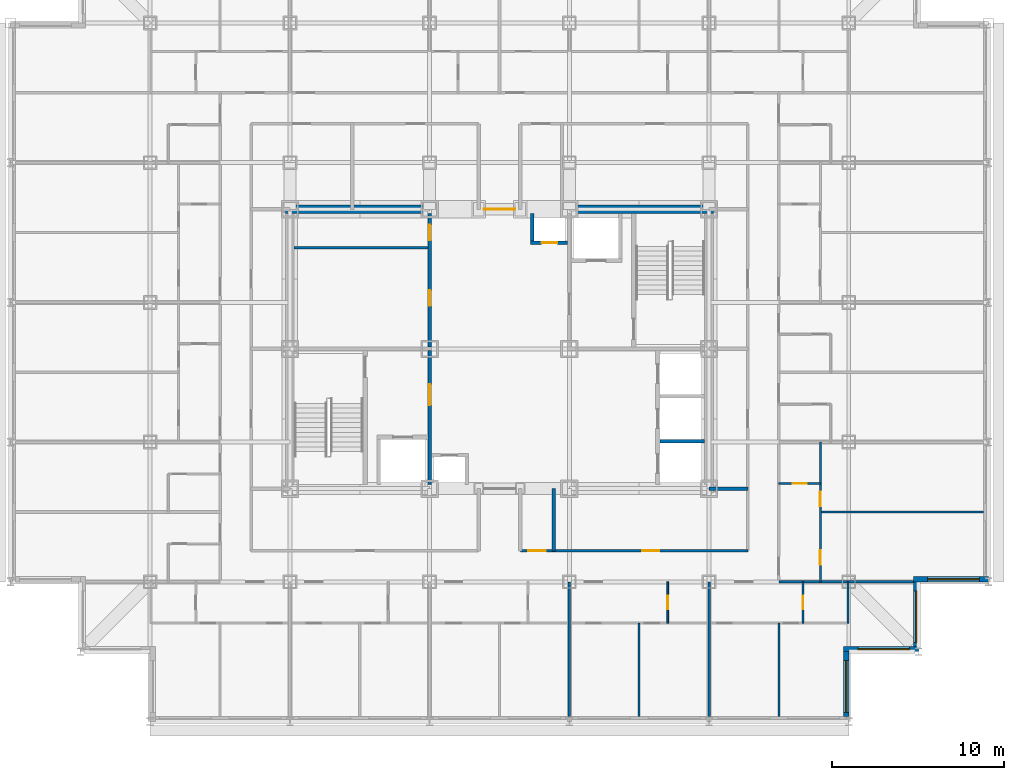
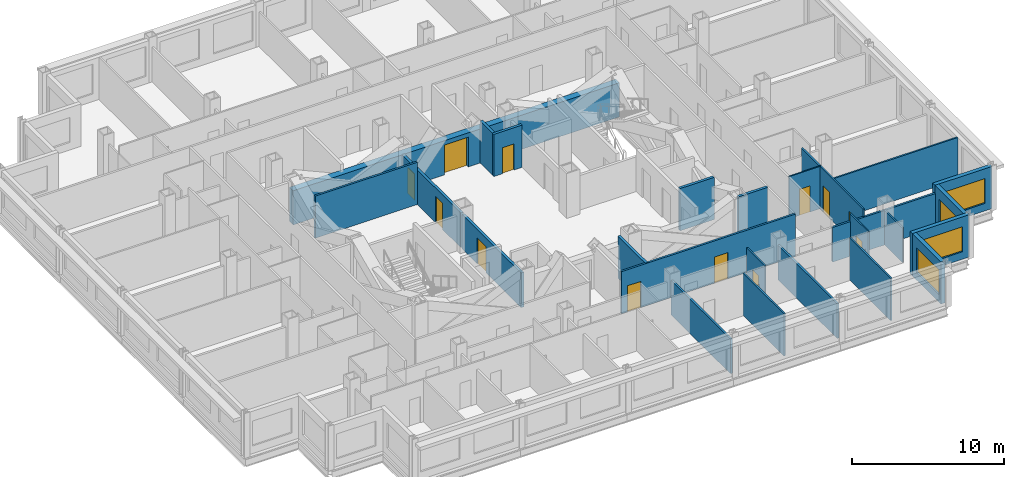
# One storey, part 7 of 12: 25 walls, 12 doors, 4 windows, 16 openings.
"""IFC4 building model written with IfcOpenShell, lengths in metres."""

from ifc_helpers import new_model, si_unit, direction, frame, frame_2d, origin, place, context, subcontext, project, spatial, rectangle, extrude, material, layer, layer_set, type_object, element, fill, save


model = new_model("IFC4")

# Units and contexts
model_context = context("Model", 3, precision=1e-05, world=origin(), true_north=direction((0.0, 1.0)))
body_context = subcontext(model_context, "Body", "Model", "MODEL_VIEW")
ifc_project = project(units=[si_unit("LENGTHUNIT", "METRE"), si_unit("AREAUNIT", "SQUARE_METRE"), si_unit("VOLUMEUNIT", "CUBIC_METRE"), si_unit("PLANEANGLEUNIT", "RADIAN"), si_unit("MASSUNIT", "GRAM", prefix="KILO")], contexts=[model_context])

# Site, building, storey
site_placement = place(None, origin())
site = spatial("IfcSite", under=ifc_project, at=site_placement, CompositionType="ELEMENT")
building_placement = place(site_placement, origin())
building = spatial("IfcBuilding", under=site, at=building_placement, Name="Kopane Lantern Tower", CompositionType="ELEMENT")
storey_placement = place(building_placement, frame((0.0, 0.0, 181.199951171875)))
storey = spatial("IfcBuildingStorey", under=building, at=storey_placement, Name="L46", CompositionType="ELEMENT", Elevation=181.199951171875)

# Wall
ifc_material_1 = material(Name="Gypsum board on steel studs", Category="steel")
ifc_layer_1 = layer(ifc_material_1, 0.1201171875)
ifc_layer_set_1 = layer_set([ifc_layer_1], Name="APARTMENT INTERNAL WALL 120")
wall_type_1 = type_object("IfcWallType", Name="APARTMENT INTERNAL WALL 120", PredefinedType="PARTITIONING", material=ifc_layer_set_1)
wall_1_placement = place(storey_placement, frame((36.449951171875, 16.5, 0.0), z_axis=(0.0, 0.0, 1.0), x_axis=(0.0, -1.0, 0.0)))
element("IfcWall", 1, at=wall_1_placement, inside=storey, type_object=wall_type_1, Name="Apartment Internal Wall 120 L46", PredefinedType="PARTITIONING", context=body_context, shape_type="SweptSolid", body=[
    extrude(rectangle(XDim=5.39990234375, YDim=0.1201171875, at=frame_2d((2.699951171875, 0.0))), origin(), (0.0, 0.0, 1.0), 3.39013671875),
])

# Wall, openings, doors
wall_2_placement = place(storey_placement, frame((46.949951171875, 18.89990234375, 0.0), z_axis=(0.0, 0.0, 1.0), x_axis=(0.0, 1.0, 0.0)))
wall_2 = element("IfcWall", 2, at=wall_2_placement, inside=storey, type_object=wall_type_1, Name="Apartment Internal Wall 120 L46", PredefinedType="PARTITIONING", context=body_context, shape_type="SweptSolid", body=[
    extrude(rectangle(XDim=8.10009765625, YDim=0.1201171875, at=frame_2d((4.050048828125, 0.0))), origin(), (0.0, 0.0, 1.0), 3.39013671875),
])
opening_1_placement = place(wall_2_placement, frame((0.97509765625, 0.0, 0.0)))
opening_1 = element("IfcOpeningElement", 3, at=opening_1_placement, cuts=wall_2, Name="Opening L46-048", PredefinedType="OPENING", context=body_context, shape_type="SweptSolid", body=[
    extrude(rectangle(XDim=0.85009765625, YDim=2.10009765625, at=frame_2d((0.425048828125, 1.050048828125))), frame((0.0, 0.070068359375, 0.0), z_axis=(0.0, -1.0, 0.0), x_axis=(1.0, 0.0, 0.0)), (0.0, 0.0, 1.0), 0.14013671875),
])
opening_2_placement = place(wall_2_placement, frame((4.375, 0.0, 0.0)))
opening_2 = element("IfcOpeningElement", 4, at=opening_2_placement, cuts=wall_2, Name="Opening L46-049", PredefinedType="OPENING", context=body_context, shape_type="SweptSolid", body=[
    extrude(rectangle(XDim=0.85009765625, YDim=2.10009765625, at=frame_2d((0.425048828125, 1.050048828125))), frame((0.0, 0.070068359375, 0.0), z_axis=(0.0, -1.0, 0.0), x_axis=(1.0, 0.0, 0.0)), (0.0, 0.0, 1.0), 0.14013671875),
])
ifc_material_2 = material(Name="Timber door set", Category="wood")
door_type_1 = type_object("IfcDoorType", Name="DOOR D4 850x2100", OperationType="SINGLE_SWING_LEFT", PredefinedType="DOOR", material=ifc_material_2)
door_1_placement = place(opening_1_placement, origin())
door_1 = element("IfcDoor", 5, at=door_1_placement, inside=storey, type_object=door_type_1, Name="Door L46-048", OperationType="SINGLE_SWING_LEFT", OverallHeight=2.10009765625, OverallWidth=0.85009765625, PredefinedType="DOOR", context=body_context, shape_type="SweptSolid", body=[
    extrude(rectangle(XDim=0.85009765625, YDim=2.10009765625, at=frame_2d((0.425048828125, 1.050048828125))), frame((0.0, 0.02490234375, 0.0), z_axis=(0.0, -1.0, 0.0), x_axis=(1.0, 0.0, 0.0)), (0.0, 0.0, 1.0), 0.050048828125),
])
fill(opening_1, door_1)
door_2_placement = place(opening_2_placement, origin())
door_2 = element("IfcDoor", 6, at=door_2_placement, inside=storey, type_object=door_type_1, Name="Door L46-049", OperationType="SINGLE_SWING_RIGHT", OverallHeight=2.10009765625, OverallWidth=0.85009765625, PredefinedType="DOOR", context=body_context, shape_type="SweptSolid", body=[
    extrude(rectangle(XDim=0.85009765625, YDim=2.10009765625, at=frame_2d((0.425048828125, 1.050048828125))), frame((0.0, 0.02490234375, 0.0), z_axis=(0.0, -1.0, 0.0), x_axis=(1.0, 0.0, 0.0)), (0.0, 0.0, 1.0), 0.050048828125),
])
fill(opening_2, door_2)

# Walls
wall_3_placement = place(storey_placement, frame((46.949951171875, 22.949951171875, 0.0), z_axis=(0.0, 0.0, 1.0), x_axis=(1.0, 0.0, 0.0)))
element("IfcWall", 7, at=wall_3_placement, inside=storey, type_object=wall_type_1, Name="Apartment Internal Wall 120 L46", PredefinedType="PARTITIONING", context=body_context, shape_type="SweptSolid", body=[
    extrude(rectangle(XDim=9.449951171875, YDim=0.1201171875, at=frame_2d((4.72509765625, 0.0))), origin(), (0.0, 0.0, 1.0), 3.39013671875),
])
wall_4_placement = place(storey_placement, frame((44.550048828125, 16.5, 0.0), z_axis=(0.0, 0.0, 1.0), x_axis=(0.0, -1.0, 0.0)))
element("IfcWall", 8, at=wall_4_placement, inside=storey, type_object=wall_type_1, Name="Apartment Internal Wall 120 L46", PredefinedType="PARTITIONING", context=body_context, shape_type="SweptSolid", body=[
    extrude(rectangle(XDim=5.39990234375, YDim=0.1201171875, at=frame_2d((2.699951171875, 0.0))), origin(), (0.0, 0.0, 1.0), 3.39013671875),
])

# Wall, opening, door
ifc_material_3 = material(Name="Moisture-resistant board on steel studs", Category="steel")
ifc_layer_2 = layer(ifc_material_3, 0.10009765625)
ifc_layer_set_2 = layer_set([ifc_layer_2], Name="BATHROOM WALL 100")
wall_type_2 = type_object("IfcWallType", Name="BATHROOM WALL 100", PredefinedType="PARTITIONING", material=ifc_layer_set_2)
wall_5_placement = place(storey_placement, frame((38.10009765625, 18.89990234375, 0.0), z_axis=(0.0, 0.0, 1.0), x_axis=(0.0, -1.0, 0.0)))
wall_5 = element("IfcWall", 9, at=wall_5_placement, inside=storey, type_object=wall_type_2, Name="Bathroom Wall 100 L46", PredefinedType="PARTITIONING", context=body_context, shape_type="SweptSolid", body=[
    extrude(rectangle(XDim=2.39990234375, YDim=0.10009765625, at=frame_2d((1.199951171875, 0.0))), origin(), (0.0, 0.0, 1.0), 3.39013671875),
])
opening_3_placement = place(wall_5_placement, frame((0.800048828125, 0.0, 0.0)))
opening_3 = element("IfcOpeningElement", 10, at=opening_3_placement, cuts=wall_5, Name="Opening L46-020", PredefinedType="OPENING", context=body_context, shape_type="SweptSolid", body=[
    extrude(rectangle(XDim=0.800048828125, YDim=2.10009765625, at=frame_2d((0.39990234375, 1.050048828125))), frame((0.0, 0.06005859375, 0.0), z_axis=(0.0, -1.0, 0.0), x_axis=(1.0, 0.0, 0.0)), (0.0, 0.0, 1.0), 0.1201171875),
])
ifc_material_4 = material(Name="Timber door set", Category="wood")
door_type_2 = type_object("IfcDoorType", Name="DOOR D2 800x2100", OperationType="SINGLE_SWING_LEFT", PredefinedType="DOOR", material=ifc_material_4)
door_3_placement = place(opening_3_placement, origin())
door_3 = element("IfcDoor", 11, at=door_3_placement, inside=storey, type_object=door_type_2, Name="Door L46-020", OperationType="SINGLE_SWING_LEFT", OverallHeight=2.10009765625, OverallWidth=0.800048828125, PredefinedType="DOOR", context=body_context, shape_type="SweptSolid", body=[
    extrude(rectangle(XDim=0.800048828125, YDim=2.10009765625, at=frame_2d((0.39990234375, 1.050048828125))), frame((0.0, 0.02490234375, 0.0), z_axis=(0.0, -1.0, 0.0), x_axis=(1.0, 0.0, 0.0)), (0.0, 0.0, 1.0), 0.050048828125),
])
fill(opening_3, door_3)

wall_6_placement = place(storey_placement, frame((44.550048828125, 24.60009765625, 0.0), z_axis=(0.0, 0.0, 1.0), x_axis=(1.0, 0.0, 0.0)))
wall_6 = element("IfcWall", 12, at=wall_6_placement, inside=storey, type_object=wall_type_2, Name="Bathroom Wall 100 L46", PredefinedType="PARTITIONING", context=body_context, shape_type="SweptSolid", body=[
    extrude(rectangle(XDim=2.39990234375, YDim=0.10009765625, at=frame_2d((1.199951171875, 0.0))), origin(), (0.0, 0.0, 1.0), 3.39013671875),
])
opening_4_placement = place(wall_6_placement, frame((0.800048828125, 0.0, 0.0)))
opening_4 = element("IfcOpeningElement", 13, at=opening_4_placement, cuts=wall_6, Name="Opening L46-046", PredefinedType="OPENING", context=body_context, shape_type="SweptSolid", body=[
    extrude(rectangle(XDim=0.800048828125, YDim=2.10009765625, at=frame_2d((0.39990234375, 1.050048828125))), frame((0.0, 0.06005859375, 0.0), z_axis=(0.0, -1.0, 0.0), x_axis=(1.0, 0.0, 0.0)), (0.0, 0.0, 1.0), 0.1201171875),
])
door_4_placement = place(opening_4_placement, origin())
door_4 = element("IfcDoor", 14, at=door_4_placement, inside=storey, type_object=door_type_2, Name="Door L46-046", OperationType="SINGLE_SWING_LEFT", OverallHeight=2.10009765625, OverallWidth=0.800048828125, PredefinedType="DOOR", context=body_context, shape_type="SweptSolid", body=[
    extrude(rectangle(XDim=0.800048828125, YDim=2.10009765625, at=frame_2d((0.39990234375, 1.050048828125))), frame((0.0, 0.02490234375, 0.0), z_axis=(0.0, -1.0, 0.0), x_axis=(1.0, 0.0, 0.0)), (0.0, 0.0, 1.0), 0.050048828125),
])
fill(opening_4, door_4)

wall_7_placement = place(storey_placement, frame((45.949951171875, 18.89990234375, 0.0), z_axis=(0.0, 0.0, 1.0), x_axis=(0.0, -1.0, 0.0)))
wall_7 = element("IfcWall", 15, at=wall_7_placement, inside=storey, type_object=wall_type_2, Name="Bathroom Wall 100 L46", PredefinedType="PARTITIONING", context=body_context, shape_type="SweptSolid", body=[
    extrude(rectangle(XDim=2.39990234375, YDim=0.10009765625, at=frame_2d((1.199951171875, 0.0))), origin(), (0.0, 0.0, 1.0), 3.39013671875),
])
opening_5_placement = place(wall_7_placement, frame((0.800048828125, 0.0, 0.0)))
opening_5 = element("IfcOpeningElement", 16, at=opening_5_placement, cuts=wall_7, Name="Opening L46-066", PredefinedType="OPENING", context=body_context, shape_type="SweptSolid", body=[
    extrude(rectangle(XDim=0.800048828125, YDim=2.10009765625, at=frame_2d((0.39990234375, 1.050048828125))), frame((0.0, 0.06005859375, 0.0), z_axis=(0.0, -1.0, 0.0), x_axis=(1.0, 0.0, 0.0)), (0.0, 0.0, 1.0), 0.1201171875),
])
door_5_placement = place(opening_5_placement, origin())
door_5 = element("IfcDoor", 17, at=door_5_placement, inside=storey, type_object=door_type_2, Name="Door L46-066", OperationType="SINGLE_SWING_LEFT", OverallHeight=2.10009765625, OverallWidth=0.800048828125, PredefinedType="DOOR", context=body_context, shape_type="SweptSolid", body=[
    extrude(rectangle(XDim=0.800048828125, YDim=2.10009765625, at=frame_2d((0.39990234375, 1.050048828125))), frame((0.0, 0.02490234375, 0.0), z_axis=(0.0, -1.0, 0.0), x_axis=(1.0, 0.0, 0.0)), (0.0, 0.0, 1.0), 0.050048828125),
])
fill(opening_5, door_5)

# Wall
wall_8_placement = place(storey_placement, frame((48.550048828125, 18.89990234375, 0.0), z_axis=(0.0, 0.0, 1.0), x_axis=(0.0, -1.0, 0.0)))
element("IfcWall", 18, at=wall_8_placement, inside=storey, type_object=wall_type_2, Name="Bathroom Wall 100 L46", PredefinedType="PARTITIONING", context=body_context, shape_type="SweptSolid", body=[
    extrude(rectangle(XDim=2.39990234375, YDim=0.10009765625, at=frame_2d((1.199951171875, 0.0))), origin(), (0.0, 0.0, 1.0), 2.77783203125),
])

# Wall, opening, door
ifc_material_5 = material(Name="Gypsum shaft wall EI 120", Category="gypsum")
ifc_layer_3 = layer(ifc_material_5, 0.5)
ifc_layer_set_3 = layer_set([ifc_layer_3], Name="CORE PERIMETER WALL 500 EI 120")
wall_type_3 = type_object("IfcWallType", Name="CORE PERIMETER WALL 500 EI 120", PredefinedType="SOLIDWALL", material=ifc_layer_set_3)
wall_9_placement = place(storey_placement, frame((15.949951171875, 40.5, 0.0), z_axis=(0.0, 0.0, 1.0), x_axis=(1.0, 0.0, 0.0)))
wall_9 = element("IfcWall", 19, at=wall_9_placement, inside=storey, type_object=wall_type_3, Name="Core shaft wall L46 PN", PredefinedType="SOLIDWALL", context=body_context, shape_type="SweptSolid", body=[
    extrude(rectangle(XDim=24.800048828125, YDim=0.5, at=frame_2d((12.39990234375, 0.0))), origin(), (0.0, 0.0, 1.0), 2.739990234375),
])
opening_6_placement = place(wall_9_placement, frame((11.5, 0.0, 0.0)))
opening_6 = element("IfcOpeningElement", 20, at=opening_6_placement, cuts=wall_9, Name="Opening 46.CE-N", PredefinedType="OPENING", context=body_context, shape_type="SweptSolid", body=[
    extrude(rectangle(XDim=1.800048828125, YDim=2.39990234375, at=frame_2d((0.89990234375, 1.199951171875))), frame((0.0, 0.260009765625, 0.0), z_axis=(0.0, -1.0, 0.0), x_axis=(1.0, 0.0, 0.0)), (0.0, 0.0, 1.0), 0.52001953125),
])
ifc_material_6 = material(Name="Steel door set", Category="steel")
door_type_3 = type_object("IfcDoorType", Name="CORE ENTRY DOOR 1800x2400 FD60S", OperationType="DOUBLE_DOOR_SINGLE_SWING", PredefinedType="DOOR", material=ifc_material_6)
door_6_placement = place(opening_6_placement, origin())
door_6 = element("IfcDoor", 21, at=door_6_placement, inside=storey, type_object=door_type_3, Name="Core entry door L46 north", OperationType="DOUBLE_DOOR_SINGLE_SWING", OverallHeight=2.39990234375, OverallWidth=1.800048828125, PredefinedType="DOOR", context=body_context, shape_type="SweptSolid", body=[
    extrude(rectangle(XDim=1.800048828125, YDim=2.39990234375, at=frame_2d((0.89990234375, 1.199951171875))), frame((0.0, 0.02490234375, 0.0), z_axis=(0.0, -1.0, 0.0), x_axis=(1.0, 0.0, 0.0)), (0.0, 0.0, 1.0), 0.050048828125),
])
fill(opening_6, door_6)

# Wall
ifc_material_7 = material(Name="Gypsum partition EI 60", Category="gypsum")
ifc_layer_4 = layer(ifc_material_7, 0.14990234375)
ifc_layer_set_4 = layer_set([ifc_layer_4], Name="CORE ROOM PARTITION 150 EI 60")
wall_type_4 = type_object("IfcWallType", Name="CORE ROOM PARTITION 150 EI 60", PredefinedType="PARTITIONING", material=ifc_layer_set_4)
wall_10_placement = place(storey_placement, frame((16.449951171875, 38.27490234375, 0.0), z_axis=(0.0, 0.0, 1.0), x_axis=(1.0, 0.0, 0.0)))
element("IfcWall", 22, at=wall_10_placement, inside=storey, type_object=wall_type_4, Name="Core room partition L46 WW1", PredefinedType="PARTITIONING", context=body_context, shape_type="SweptSolid", body=[
    extrude(rectangle(XDim=7.75, YDim=0.14990234375, at=frame_2d((3.875, 0.0))), origin(), (0.0, 0.0, 1.0), 3.39013671875),
])

# Wall, openings, doors
ifc_material_8 = material(Name="Gypsum partition EI 60", Category="gypsum")
ifc_layer_5 = layer(ifc_material_8, 0.199951171875)
ifc_layer_set_5 = layer_set([ifc_layer_5], Name="CORE ROOM WALL 200 EI 60")
wall_type_5 = type_object("IfcWallType", Name="CORE ROOM WALL 200 EI 60", PredefinedType="PARTITIONING", material=ifc_layer_set_5)
wall_11_placement = place(storey_placement, frame((24.300048828125, 32.5, 0.0), z_axis=(0.0, 0.0, 1.0), x_axis=(0.0, 1.0, 0.0)))
wall_11 = element("IfcWall", 23, at=wall_11_placement, inside=storey, type_object=wall_type_5, Name="Core room wall L46 XW", PredefinedType="PARTITIONING", context=body_context, shape_type="SweptSolid", body=[
    extrude(rectangle(XDim=7.75, YDim=0.199951171875, at=frame_2d((3.875, 0.0))), origin(), (0.0, 0.0, 1.0), 2.77783203125),
])
opening_7_placement = place(wall_11_placement, frame((2.39990234375, 0.0, 0.0)))
opening_7 = element("IfcOpeningElement", 24, at=opening_7_placement, cuts=wall_11, Name="Opening 46.C30", PredefinedType="OPENING", context=body_context, shape_type="SweptSolid", body=[
    extrude(rectangle(XDim=0.89990234375, YDim=2.10009765625, at=frame_2d((0.449951171875, 1.050048828125))), frame((0.0, 0.10986328125, 0.0), z_axis=(0.0, -1.0, 0.0), x_axis=(1.0, 0.0, 0.0)), (0.0, 0.0, 1.0), 0.219970703125),
])
opening_8_placement = place(wall_11_placement, frame((6.199951171875, 0.0, 0.0)))
opening_8 = element("IfcOpeningElement", 25, at=opening_8_placement, cuts=wall_11, Name="Opening 46.C31", PredefinedType="OPENING", context=body_context, shape_type="SweptSolid", body=[
    extrude(rectangle(XDim=0.89990234375, YDim=2.10009765625, at=frame_2d((0.449951171875, 1.050048828125))), frame((0.0, 0.10986328125, 0.0), z_axis=(0.0, -1.0, 0.0), x_axis=(1.0, 0.0, 0.0)), (0.0, 0.0, 1.0), 0.219970703125),
])
ifc_material_9 = material(Name="Steel door set", Category="steel")
door_type_4 = type_object("IfcDoorType", Name="CORE ROOM DOOR 900x2100 FD60", OperationType="SINGLE_SWING_LEFT", PredefinedType="DOOR", material=ifc_material_9)
door_7_placement = place(opening_7_placement, origin())
door_7 = element("IfcDoor", 26, at=door_7_placement, inside=storey, type_object=door_type_4, Name="Door Residents storage L46", OperationType="SINGLE_SWING_LEFT", OverallHeight=2.10009765625, OverallWidth=0.89990234375, PredefinedType="DOOR", context=body_context, shape_type="SweptSolid", body=[
    extrude(rectangle(XDim=0.89990234375, YDim=2.10009765625, at=frame_2d((0.449951171875, 1.050048828125))), frame((0.0, 0.02490234375, 0.0), z_axis=(0.0, -1.0, 0.0), x_axis=(1.0, 0.0, 0.0)), (0.0, 0.0, 1.0), 0.050048828125),
])
fill(opening_7, door_7)
door_8_placement = place(opening_8_placement, origin())
door_8 = element("IfcDoor", 27, at=door_8_placement, inside=storey, type_object=door_type_4, Name="Door Refuse room L46", OperationType="SINGLE_SWING_LEFT", OverallHeight=2.10009765625, OverallWidth=0.89990234375, PredefinedType="DOOR", context=body_context, shape_type="SweptSolid", body=[
    extrude(rectangle(XDim=0.89990234375, YDim=2.10009765625, at=frame_2d((0.449951171875, 1.050048828125))), frame((0.0, 0.02490234375, 0.0), z_axis=(0.0, -1.0, 0.0), x_axis=(1.0, 0.0, 0.0)), (0.0, 0.0, 1.0), 0.050048828125),
])
fill(opening_8, door_8)

ifc_material_10 = material(Name="Gypsum board on steel studs", Category="steel")
ifc_layer_6 = layer(ifc_material_10, 0.14990234375)
ifc_layer_set_6 = layer_set([ifc_layer_6], Name="CORRIDOR WALL 150 EI 60")
wall_type_6 = type_object("IfcWallType", Name="CORRIDOR WALL 150 EI 60", PredefinedType="PARTITIONING", material=ifc_layer_set_6)
wall_12_placement = place(storey_placement, frame((29.56005859375, 20.699951171875, 0.0), z_axis=(0.0, 0.0, 1.0), x_axis=(1.0, 0.0, 0.0)))
wall_12 = element("IfcWall", 28, at=wall_12_placement, inside=storey, type_object=wall_type_6, Name="Corridor Wall 150 Ei 60 L46", PredefinedType="PARTITIONING", context=body_context, shape_type="SweptSolid", body=[
    extrude(rectangle(XDim=13.18994140625, YDim=0.14990234375, at=frame_2d((6.594970703125, 0.0))), origin(), (0.0, 0.0, 1.0), 3.39013671875),
])
opening_9_placement = place(wall_12_placement, frame((0.462158203125, 0.0, 0.0)))
opening_9 = element("IfcOpeningElement", 29, at=opening_9_placement, cuts=wall_12, Name="Opening L46-006", PredefinedType="OPENING", context=body_context, shape_type="SweptSolid", body=[
    extrude(rectangle(XDim=1.0, YDim=2.10009765625, at=frame_2d((0.5, 1.050048828125))), frame((0.0, 0.0849609375, 0.0), z_axis=(0.0, -1.0, 0.0), x_axis=(1.0, 0.0, 0.0)), (0.0, 0.0, 1.0), 0.169921875),
])
opening_10_placement = place(wall_12_placement, frame((7.062255859375, 0.0, 0.0)))
opening_10 = element("IfcOpeningElement", 30, at=opening_10_placement, cuts=wall_12, Name="Opening L46-007", PredefinedType="OPENING", context=body_context, shape_type="SweptSolid", body=[
    extrude(rectangle(XDim=1.0, YDim=2.10009765625, at=frame_2d((0.5, 1.050048828125))), frame((0.0, 0.0849609375, 0.0), z_axis=(0.0, -1.0, 0.0), x_axis=(1.0, 0.0, 0.0)), (0.0, 0.0, 1.0), 0.169921875),
])
ifc_material_11 = material(Name="Steel door set", Category="steel")
door_type_5 = type_object("IfcDoorType", Name="DOOR D5 1000x2100 FD60", OperationType="SINGLE_SWING_LEFT", PredefinedType="DOOR", material=ifc_material_11)
door_9_placement = place(opening_9_placement, origin())
door_9 = element("IfcDoor", 31, at=door_9_placement, inside=storey, type_object=door_type_5, Name="Door L46-006", OperationType="SINGLE_SWING_LEFT", OverallHeight=2.10009765625, OverallWidth=1.0, PredefinedType="DOOR", context=body_context, shape_type="SweptSolid", body=[
    extrude(rectangle(XDim=1.0, YDim=2.10009765625, at=frame_2d((0.5, 1.050048828125))), frame((0.0, 0.02490234375, 0.0), z_axis=(0.0, -1.0, 0.0), x_axis=(1.0, 0.0, 0.0)), (0.0, 0.0, 1.0), 0.050048828125),
])
fill(opening_9, door_9)
door_10_placement = place(opening_10_placement, origin())
door_10 = element("IfcDoor", 32, at=door_10_placement, inside=storey, type_object=door_type_5, Name="Door L46-007", OperationType="SINGLE_SWING_RIGHT", OverallHeight=2.10009765625, OverallWidth=1.0, PredefinedType="DOOR", context=body_context, shape_type="SweptSolid", body=[
    extrude(rectangle(XDim=1.0, YDim=2.10009765625, at=frame_2d((0.5, 1.050048828125))), frame((0.0, 0.02490234375, 0.0), z_axis=(0.0, -1.0, 0.0), x_axis=(1.0, 0.0, 0.0)), (0.0, 0.0, 1.0), 0.050048828125),
])
fill(opening_10, door_10)

# Walls
ifc_material_12 = material(Name="Gypsum board on steel studs", Category="steel")
ifc_layer_7 = layer(ifc_material_12, 0.14990234375)
ifc_layer_set_7 = layer_set([ifc_layer_7], Name="DEMISING WALL 150 EI 60")
wall_type_7 = type_object("IfcWallType", Name="DEMISING WALL 150 EI 60", PredefinedType="PARTITIONING", material=ifc_layer_set_7)
wall_13_placement = place(storey_placement, frame((32.39990234375, 18.89990234375, 0.0), z_axis=(0.0, 0.0, 1.0), x_axis=(0.0, -1.0, 0.0)))
element("IfcWall", 33, at=wall_13_placement, inside=storey, type_object=wall_type_7, Name="Demising Wall 150 Ei 60 L46", PredefinedType="PARTITIONING", context=body_context, shape_type="SweptSolid", body=[
    extrude(rectangle(XDim=7.7998046875, YDim=0.14990234375, at=frame_2d((3.89990234375, 0.0))), origin(), (0.0, 0.0, 1.0), 2.77783203125),
])
wall_14_placement = place(storey_placement, frame((44.550048828125, 18.89990234375, 0.0), z_axis=(0.0, 0.0, 1.0), x_axis=(1.0, 0.0, 0.0)))
element("IfcWall", 34, at=wall_14_placement, inside=storey, type_object=wall_type_7, Name="Demising Wall 150 Ei 60 L46", PredefinedType="PARTITIONING", context=body_context, shape_type="SweptSolid", body=[
    extrude(rectangle(XDim=7.800048828125, YDim=0.14990234375, at=frame_2d((3.89990234375, 0.0))), origin(), (0.0, 0.0, 1.0), 2.77783203125),
])
wall_15_placement = place(storey_placement, frame((40.5, 18.89990234375, 0.0), z_axis=(0.0, 0.0, 1.0), x_axis=(0.0, -1.0, 0.0)))
element("IfcWall", 35, at=wall_15_placement, inside=storey, type_object=wall_type_7, Name="Demising Wall 150 Ei 60 L46", PredefinedType="PARTITIONING", context=body_context, shape_type="SweptSolid", body=[
    extrude(rectangle(XDim=7.7998046875, YDim=0.14990234375, at=frame_2d((3.89990234375, 0.0))), origin(), (0.0, 0.0, 1.0), 2.77783203125),
])

# Wall, opening, window
ifc_material_13 = material(Name="Terracotta rainscreen on light steel framing", Category="masonry")
ifc_layer_8 = layer(ifc_material_13, 0.300048828125)
ifc_layer_set_8 = layer_set([ifc_layer_8], Name="EXTERNAL WALL EW1 300 TERRACOTTA")
wall_type_8 = type_object("IfcWallType", Name="EXTERNAL WALL EW1 300 TERRACOTTA", PredefinedType="SOLIDWALL", material=ifc_layer_set_8)
wall_16_placement = place(storey_placement, frame((48.449951171875, 11.10009765625, 0.0), z_axis=(0.0, 0.0, 1.0), x_axis=(0.0, 1.0, 0.0)))
wall_16 = element("IfcWall", 36, at=wall_16_placement, inside=storey, type_object=wall_type_8, Name="External wall E L46", PredefinedType="SOLIDWALL", context=body_context, shape_type="SweptSolid", body=[
    extrude(rectangle(XDim=3.75, YDim=0.300048828125, at=frame_2d((1.875, 0.0))), origin(), (0.0, 0.0, 1.0), 3.39013671875),
])
opening_11_placement = place(wall_16_placement, frame((0.22509765625, 0.0, 0.60009765625)))
opening_11 = element("IfcOpeningElement", 37, at=opening_11_placement, cuts=wall_16, Name="Opening WR300200", PredefinedType="OPENING", context=body_context, shape_type="SweptSolid", body=[
    extrude(rectangle(XDim=3.0, YDim=2.0, at=frame_2d((1.5, 1.0))), frame((0.0, 0.159912109375, 0.0), z_axis=(0.0, -1.0, 0.0), x_axis=(1.0, 0.0, 0.0)), (0.0, 0.0, 1.0), 0.320068359375),
])
ifc_material_14 = material(Name="Aluminium and clear glass", Category="aluminium")
window_type = type_object("IfcWindowType", Name="RIBBON WINDOW WR300200 3000x2000", PartitioningType="SINGLE_PANEL", PredefinedType="WINDOW", material=ifc_material_14)
window_1_placement = place(opening_11_placement, origin())
window_1 = element("IfcWindow", 38, at=window_1_placement, inside=storey, type_object=window_type, Name="Window E L46", OverallHeight=2.0, OverallWidth=3.0, PartitioningType="SINGLE_PANEL", PredefinedType="WINDOW", context=body_context, shape_type="SweptSolid", body=[
    extrude(rectangle(XDim=3.0, YDim=2.0, at=frame_2d((1.5, 1.0))), frame((0.0, 0.030029296875, 0.0), z_axis=(0.0, -1.0, 0.0), x_axis=(1.0, 0.0, 0.0)), (0.0, 0.0, 1.0), 0.06005859375),
])
fill(opening_11, window_1)

wall_17_placement = place(storey_placement, frame((48.300048828125, 15.0, 0.0), z_axis=(0.0, 0.0, 1.0), x_axis=(1.0, 0.0, 0.0)))
wall_17 = element("IfcWall", 39, at=wall_17_placement, inside=storey, type_object=wall_type_8, Name="External wall S L46", PredefinedType="SOLIDWALL", context=body_context, shape_type="SweptSolid", body=[
    extrude(rectangle(XDim=4.349853515625, YDim=0.300048828125, at=frame_2d((2.1748046875, 0.0))), origin(), (0.0, 0.0, 1.0), 3.39013671875),
])
opening_12_placement = place(wall_17_placement, frame((0.824951171875, 0.0, 0.60009765625)))
opening_12 = element("IfcOpeningElement", 40, at=opening_12_placement, cuts=wall_17, Name="Opening WR300200", PredefinedType="OPENING", context=body_context, shape_type="SweptSolid", body=[
    extrude(rectangle(XDim=3.0, YDim=2.0, at=frame_2d((1.5, 1.0))), frame((0.0, 0.159912109375, 0.0), z_axis=(0.0, -1.0, 0.0), x_axis=(1.0, 0.0, 0.0)), (0.0, 0.0, 1.0), 0.320068359375),
])
window_2_placement = place(opening_12_placement, origin())
window_2 = element("IfcWindow", 41, at=window_2_placement, inside=storey, type_object=window_type, Name="Window S L46", OverallHeight=2.0, OverallWidth=3.0, PartitioningType="SINGLE_PANEL", PredefinedType="WINDOW", context=body_context, shape_type="SweptSolid", body=[
    extrude(rectangle(XDim=3.0, YDim=2.0, at=frame_2d((1.5, 1.0))), frame((0.0, 0.030029296875, 0.0), z_axis=(0.0, -1.0, 0.0), x_axis=(1.0, 0.0, 0.0)), (0.0, 0.0, 1.0), 0.06005859375),
])
fill(opening_12, window_2)

wall_18_placement = place(storey_placement, frame((52.5, 15.14990234375, 0.0), z_axis=(0.0, 0.0, 1.0), x_axis=(0.0, 1.0, 0.0)))
wall_18 = element("IfcWall", 42, at=wall_18_placement, inside=storey, type_object=wall_type_8, Name="External wall E L46", PredefinedType="SOLIDWALL", context=body_context, shape_type="SweptSolid", body=[
    extrude(rectangle(XDim=3.75, YDim=0.300048828125, at=frame_2d((1.875, 0.0))), origin(), (0.0, 0.0, 1.0), 3.39013671875),
])
opening_13_placement = place(wall_18_placement, frame((0.22509765625, 0.0, 0.60009765625)))
opening_13 = element("IfcOpeningElement", 43, at=opening_13_placement, cuts=wall_18, Name="Opening WR300200", PredefinedType="OPENING", context=body_context, shape_type="SweptSolid", body=[
    extrude(rectangle(XDim=3.0, YDim=2.0, at=frame_2d((1.5, 1.0))), frame((0.0, 0.159912109375, 0.0), z_axis=(0.0, -1.0, 0.0), x_axis=(1.0, 0.0, 0.0)), (0.0, 0.0, 1.0), 0.320068359375),
])
window_3_placement = place(opening_13_placement, origin())
window_3 = element("IfcWindow", 44, at=window_3_placement, inside=storey, type_object=window_type, Name="Window E L46", OverallHeight=2.0, OverallWidth=3.0, PartitioningType="SINGLE_PANEL", PredefinedType="WINDOW", context=body_context, shape_type="SweptSolid", body=[
    extrude(rectangle(XDim=3.0, YDim=2.0, at=frame_2d((1.5, 1.0))), frame((0.0, 0.030029296875, 0.0), z_axis=(0.0, -1.0, 0.0), x_axis=(1.0, 0.0, 0.0)), (0.0, 0.0, 1.0), 0.06005859375),
])
fill(opening_13, window_3)

wall_19_placement = place(storey_placement, frame((52.35009765625, 19.050048828125, 0.0), z_axis=(0.0, 0.0, 1.0), x_axis=(1.0, 0.0, 0.0)))
wall_19 = element("IfcWall", 45, at=wall_19_placement, inside=storey, type_object=wall_type_8, Name="External wall S L46", PredefinedType="SOLIDWALL", context=body_context, shape_type="SweptSolid", body=[
    extrude(rectangle(XDim=4.349853515625, YDim=0.300048828125, at=frame_2d((2.1748046875, 0.0))), origin(), (0.0, 0.0, 1.0), 3.39013671875),
])
opening_14_placement = place(wall_19_placement, frame((0.824951171875, 0.0, 0.60009765625)))
opening_14 = element("IfcOpeningElement", 46, at=opening_14_placement, cuts=wall_19, Name="Opening WR300200", PredefinedType="OPENING", context=body_context, shape_type="SweptSolid", body=[
    extrude(rectangle(XDim=3.0, YDim=2.0, at=frame_2d((1.5, 1.0))), frame((0.0, 0.159912109375, 0.0), z_axis=(0.0, -1.0, 0.0), x_axis=(1.0, 0.0, 0.0)), (0.0, 0.0, 1.0), 0.320068359375),
])
window_4_placement = place(opening_14_placement, origin())
window_4 = element("IfcWindow", 47, at=window_4_placement, inside=storey, type_object=window_type, Name="Window S L46", OverallHeight=2.0, OverallWidth=3.0, PartitioningType="SINGLE_PANEL", PredefinedType="WINDOW", context=body_context, shape_type="SweptSolid", body=[
    extrude(rectangle(XDim=3.0, YDim=2.0, at=frame_2d((1.5, 1.0))), frame((0.0, 0.030029296875, 0.0), z_axis=(0.0, -1.0, 0.0), x_axis=(1.0, 0.0, 0.0)), (0.0, 0.0, 1.0), 0.06005859375),
])
fill(opening_14, window_4)

# Walls
ifc_material_15 = material(Name="Concrete masonry", Category="masonry")
ifc_layer_9 = layer(ifc_material_15, 0.199951171875)
ifc_layer_set_9 = layer_set([ifc_layer_9], Name="PLANT ROOM WALL 200 EI 120")
wall_type_9 = type_object("IfcWallType", Name="PLANT ROOM WALL 200 EI 120", PredefinedType="SOLIDWALL", material=ifc_layer_set_9)
wall_20_placement = place(storey_placement, frame((31.494384765625, 20.699951171875, 0.0), z_axis=(0.0, 0.0, 1.0), x_axis=(0.0, 1.0, 0.0)))
element("IfcWall", 48, at=wall_20_placement, inside=storey, type_object=wall_type_9, Name="Plant Room Wall 200 Ei 120 L46", PredefinedType="SOLIDWALL", context=body_context, shape_type="SweptSolid", body=[
    extrude(rectangle(XDim=3.60009765625, YDim=0.199951171875, at=frame_2d((1.800048828125, 0.0))), origin(), (0.0, 0.0, 1.0), 3.39013671875),
])
wall_21_placement = place(storey_placement, frame((40.5, 24.300048828125, 0.0), z_axis=(0.0, 0.0, 1.0), x_axis=(1.0, 0.0, 0.0)))
element("IfcWall", 49, at=wall_21_placement, inside=storey, type_object=wall_type_9, Name="Plant Room Wall 200 Ei 120 L46", PredefinedType="SOLIDWALL", context=body_context, shape_type="SweptSolid", body=[
    extrude(rectangle(XDim=2.25, YDim=0.199951171875, at=frame_2d((1.125, 0.0))), origin(), (0.0, 0.0, 1.0), 3.39013671875),
])

# Wall, opening, door
ifc_material_16 = material(Name="Gypsum shaft wall EI 120", Category="gypsum")
ifc_layer_10 = layer(ifc_material_16, 0.199951171875)
ifc_layer_set_10 = layer_set([ifc_layer_10], Name="SHAFT WALL 200 EI 120")
wall_type_10 = type_object("IfcWallType", Name="SHAFT WALL 200 EI 120", PredefinedType="SOLIDWALL", material=ifc_layer_set_10)
wall_22_placement = place(storey_placement, frame((24.300048828125, 24.550048828125, 0.0), z_axis=(0.0, 0.0, 1.0), x_axis=(0.0, 1.0, 0.0)))
wall_22 = element("IfcWall", 50, at=wall_22_placement, inside=storey, type_object=wall_type_10, Name="Core shaft wall L46 X243", PredefinedType="SOLIDWALL", context=body_context, shape_type="SweptSolid", body=[
    extrude(rectangle(XDim=7.75, YDim=0.199951171875, at=frame_2d((3.875, 0.0))), origin(), (0.0, 0.0, 1.0), 2.77783203125),
])
opening_15_placement = place(wall_22_placement, frame((4.60009765625, 0.0, 0.0)))
opening_15 = element("IfcOpeningElement", 51, at=opening_15_placement, cuts=wall_22, Name="Opening 46.FL1", PredefinedType="OPENING", context=body_context, shape_type="SweptSolid", body=[
    extrude(rectangle(XDim=1.199951171875, YDim=2.10009765625, at=frame_2d((0.60009765625, 1.050048828125))), frame((0.0, 0.10986328125, 0.0), z_axis=(0.0, -1.0, 0.0), x_axis=(1.0, 0.0, 0.0)), (0.0, 0.0, 1.0), 0.219970703125),
])
ifc_material_17 = material(Name="Steel door set", Category="steel")
door_type_6 = type_object("IfcDoorType", Name="FIREFIGHTING LOBBY DOOR 1200x2100 FD60S", OperationType="SINGLE_SWING_RIGHT", PredefinedType="DOOR", material=ifc_material_17)
door_11_placement = place(opening_15_placement, origin())
door_11 = element("IfcDoor", 52, at=door_11_placement, inside=storey, type_object=door_type_6, Name="Firefighting lobby door FL1 L46", OperationType="SINGLE_SWING_LEFT", OverallHeight=2.10009765625, OverallWidth=1.199951171875, PredefinedType="DOOR", context=body_context, shape_type="SweptSolid", body=[
    extrude(rectangle(XDim=1.199951171875, YDim=2.10009765625, at=frame_2d((0.60009765625, 1.050048828125))), frame((0.0, 0.02490234375, 0.0), z_axis=(0.0, -1.0, 0.0), x_axis=(1.0, 0.0, 0.0)), (0.0, 0.0, 1.0), 0.050048828125),
])
fill(opening_15, door_11)

# Walls
wall_23_placement = place(storey_placement, frame((37.64990234375, 27.050048828125, 0.0), z_axis=(0.0, 0.0, 1.0), x_axis=(1.0, 0.0, 0.0)))
element("IfcWall", 53, at=wall_23_placement, inside=storey, type_object=wall_type_10, Name="Core shaft wall L46 YLR12", PredefinedType="SOLIDWALL", context=body_context, shape_type="SweptSolid", body=[
    extrude(rectangle(XDim=2.60009765625, YDim=0.199951171875, at=frame_2d((1.300048828125, 0.0))), origin(), (0.0, 0.0, 1.0), 3.39013671875),
])
wall_24_placement = place(storey_placement, frame((30.25, 38.64990234375, 0.0), z_axis=(0.0, 0.0, 1.0), x_axis=(0.0, 1.0, 0.0)))
element("IfcWall", 54, at=wall_24_placement, inside=storey, type_object=wall_type_10, Name="Core shaft wall L46 XRS2", PredefinedType="SOLIDWALL", context=body_context, shape_type="SweptSolid", body=[
    extrude(rectangle(XDim=1.60009765625, YDim=0.199951171875, at=frame_2d((0.800048828125, 0.0))), origin(), (0.0, 0.0, 1.0), 3.39013671875),
])

# Wall, opening, door
wall_25_placement = place(storey_placement, frame((30.14990234375, 38.550048828125, 0.0), z_axis=(0.0, 0.0, 1.0), x_axis=(1.0, 0.0, 0.0)))
wall_25 = element("IfcWall", 55, at=wall_25_placement, inside=storey, type_object=wall_type_10, Name="Core shaft wall L46 YRS2", PredefinedType="SOLIDWALL", context=body_context, shape_type="SweptSolid", body=[
    extrude(rectangle(XDim=2.150146484375, YDim=0.199951171875, at=frame_2d((1.0751953125, 0.0))), origin(), (0.0, 0.0, 1.0), 3.39013671875),
])
opening_16_placement = place(wall_25_placement, frame((0.64990234375, 0.0, 0.0)))
opening_16 = element("IfcOpeningElement", 56, at=opening_16_placement, cuts=wall_25, Name="Opening 46.RS2", PredefinedType="OPENING", context=body_context, shape_type="SweptSolid", body=[
    extrude(rectangle(XDim=0.89990234375, YDim=2.10009765625, at=frame_2d((0.449951171875, 1.050048828125))), frame((0.0, 0.10986328125, 0.0), z_axis=(0.0, -1.0, 0.0), x_axis=(1.0, 0.0, 0.0)), (0.0, 0.0, 1.0), 0.219970703125),
])
ifc_material_18 = material(Name="Steel door set", Category="steel")
door_type_7 = type_object("IfcDoorType", Name="RISER ACCESS DOOR 900x2100 FD60", OperationType="SINGLE_SWING_LEFT", PredefinedType="DOOR", material=ifc_material_18)
door_12_placement = place(opening_16_placement, origin())
door_12 = element("IfcDoor", 57, at=door_12_placement, inside=storey, type_object=door_type_7, Name="Riser access door RS2 L46", OperationType="SINGLE_SWING_LEFT", OverallHeight=2.10009765625, OverallWidth=0.89990234375, PredefinedType="DOOR", context=body_context, shape_type="SweptSolid", body=[
    extrude(rectangle(XDim=0.89990234375, YDim=2.10009765625, at=frame_2d((0.449951171875, 1.050048828125))), frame((0.0, 0.02490234375, 0.0), z_axis=(0.0, -1.0, 0.0), x_axis=(1.0, 0.0, 0.0)), (0.0, 0.0, 1.0), 0.050048828125),
])
fill(opening_16, door_12)

save(model, "model.ifc")
